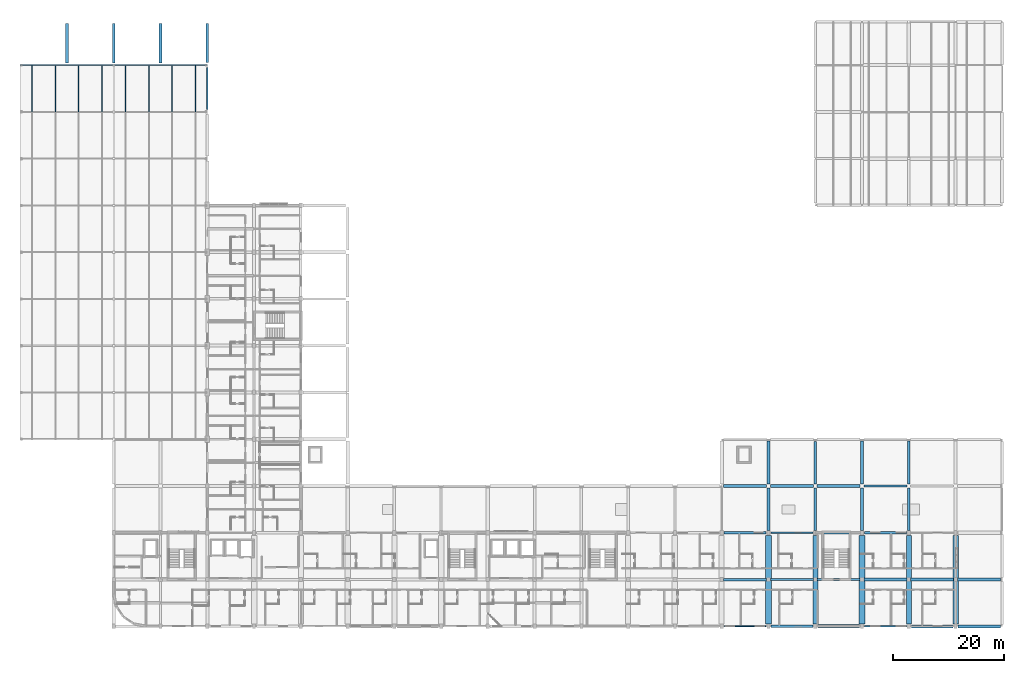
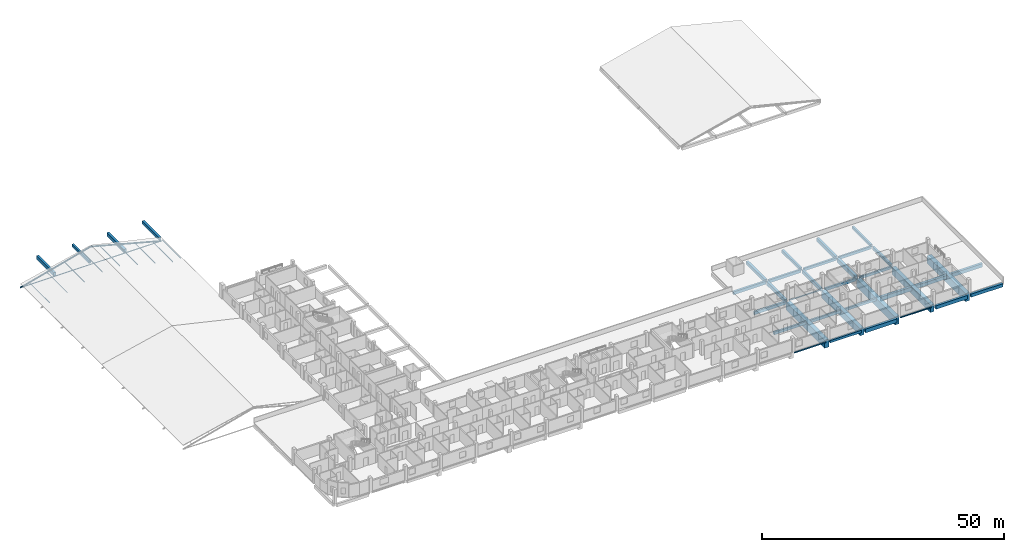
# One storey, part 8 of 42: 38 beams, 11 members.
"""IFC4 building model written with IfcOpenShell, lengths in metres."""

import ifcopenshell
import ifcopenshell.guid

model = None  # the IFC model being written
_history = None  # IfcOwnerHistory: only IFC2X3 demands one
_inside = {}  # id of a spatial element -> (the spatial element, [elements in it])
_under = {}  # id of a project, library or spatial element -> (it, [spatial elements below it])
_declared = {}  # id of a project -> (the project, [libraries it declares])
_typed = {}  # id of a type object -> (the type object, [elements of that type])
_made_of = {}  # id of a material, layer set ... -> (it, [elements and type objects made of it])


def new_model(schema):
    """Start an empty IFC model of exactly this schema.

    Asked for "IFC4X3", IfcOpenShell would pick the latest addendum, in which some entities
    have other attributes; the version numbers below select the first issue.
    IFC2X3 requires an IfcOwnerHistory on every rooted entity: one is made here for all.
    """
    global model, _history
    if schema == "IFC4X3":
        model = ifcopenshell.file(schema_version=(4, 3, 0, 0))
    else:
        model = ifcopenshell.file(schema=schema)
    _inside.clear()
    _under.clear()
    _declared.clear()
    _typed.clear()
    _made_of.clear()
    _history = None
    if model.schema == "IFC2X3":
        org = make("IfcOrganization", Name="unknown")
        user = make(
            "IfcPersonAndOrganization",
            ThePerson=make("IfcPerson", FamilyName="unknown"),
            TheOrganization=org,
        )
        app = make(
            "IfcApplication",
            ApplicationDeveloper=org,
            Version="unknown",
            ApplicationFullName="unknown",
            ApplicationIdentifier="unknown",
        )
        _history = make(
            "IfcOwnerHistory",
            OwningUser=user,
            OwningApplication=app,
            ChangeAction="ADDED",
            CreationDate=0,
        )
    return model


def make(cls, **values):
    """One entity of the class cls with the attributes given. An attribute that is None is left unset."""
    return model.create_entity(
        cls, **{name: value for name, value in values.items() if value is not None}
    )


def rooted(cls, **values):
    """An entity with a GlobalId (a new one), such as an element, a storey or a relation."""
    return make(cls, GlobalId=ifcopenshell.guid.new(), OwnerHistory=_history, **values)


def si_unit(unit_type, name, prefix=None):
    """IfcSIUnit, for example si_unit("LENGTHUNIT", "METRE", prefix="MILLI")."""
    return make("IfcSIUnit", UnitType=unit_type, Prefix=prefix, Name=name)


def derived_unit(unit_type, elements):
    """IfcDerivedUnit: a product of units, each with its exponent."""
    return make(
        "IfcDerivedUnit",
        Elements=[
            make("IfcDerivedUnitElement", Unit=unit, Exponent=power)
            for unit, power in elements
        ],
        UnitType=unit_type,
    )


def assignment(units):
    """IfcUnitAssignment: the units of a project."""
    return None if units is None else make("IfcUnitAssignment", Units=units)


def point(xyz):
    """IfcCartesianPoint."""
    return None if xyz is None else make("IfcCartesianPoint", Coordinates=xyz)


def direction(xyz):
    """IfcDirection."""
    return None if xyz is None else make("IfcDirection", DirectionRatios=xyz)


def frame(location, z_axis=None, x_axis=None):
    """IfcAxis2Placement3D, a coordinate frame: its origin and axes. An axis left out is left unset."""
    return make(
        "IfcAxis2Placement3D",
        Location=point(location),
        Axis=direction(z_axis),
        RefDirection=direction(x_axis),
    )


def frame_2d(location, x_axis=None):
    """IfcAxis2Placement2D, a coordinate frame in the plane: its origin and x axis."""
    return make(
        "IfcAxis2Placement2D", Location=point(location), RefDirection=direction(x_axis)
    )


def origin():
    """The frame at (0, 0, 0) with its axes left unset."""
    return frame((0.0, 0.0, 0.0))


def origin_2d():
    """The frame at (0, 0) in the plane with its x axis left unset."""
    return frame_2d((0.0, 0.0))


def place(relative_to, where):
    """IfcLocalPlacement: puts the frame where relative to a parent placement (None: the world)."""
    return make(
        "IfcLocalPlacement", PlacementRelTo=relative_to, RelativePlacement=where
    )


def context(
    kind, dimensions, precision=None, world=None, true_north=None, identifier=None
):
    """IfcGeometricRepresentationContext, for example the 3D "Model" context."""
    return make(
        "IfcGeometricRepresentationContext",
        ContextIdentifier=identifier,
        ContextType=kind,
        CoordinateSpaceDimension=dimensions,
        Precision=precision,
        WorldCoordinateSystem=world,
        TrueNorth=true_north,
    )


def subcontext(parent, identifier, kind, view, scale=None):
    """IfcGeometricRepresentationSubContext, for example "Body" below "Model"."""
    return make(
        "IfcGeometricRepresentationSubContext",
        ContextIdentifier=identifier,
        ContextType=kind,
        ParentContext=parent,
        TargetScale=scale,
        TargetView=view,
    )


def project(units=None, contexts=None):
    """IfcProject with its units and contexts."""
    return rooted(
        "IfcProject",
        Name="project",
        RepresentationContexts=contexts,
        UnitsInContext=assignment(units),
    )


def spatial(cls, under=None, at=None, **own):
    """A site, building, storey or space (cls), placed at a placement, below another one or the project."""
    s = rooted(cls, ObjectPlacement=at, **own)
    if under is not None:
        _under.setdefault(under.id(), (under, []))[1].append(s)
    return s


def profile(cls, at=None, kind="AREA", **sizes):
    """A parametric profile (cls). Its sizes go by their IFC names, for example OverallWidth=200.0."""
    return make(cls, ProfileType=kind, Position=at, **sizes)


def rectangle(**sizes):
    """IfcRectangleProfileDef."""
    return profile("IfcRectangleProfileDef", **sizes)


def hollow_rectangle(**sizes):
    """IfcRectangleHollowProfileDef."""
    return profile("IfcRectangleHollowProfileDef", **sizes)


def hollow_circle(**sizes):
    """IfcCircleHollowProfileDef."""
    return profile("IfcCircleHollowProfileDef", **sizes)


def i_section(**sizes):
    """IfcIShapeProfileDef."""
    return profile("IfcIShapeProfileDef", **sizes)


def extrude(swept, where, along, depth):
    """IfcExtrudedAreaSolid: the profile swept, set in the frame where, extruded along a direction by depth."""
    return make(
        "IfcExtrudedAreaSolid",
        SweptArea=swept,
        Position=where,
        ExtrudedDirection=direction(along),
        Depth=depth,
    )


def shape(context_of_items, identifier, shape_type, items):
    """IfcShapeRepresentation: the items that make up one representation, for example the "Body"."""
    return make(
        "IfcShapeRepresentation",
        ContextOfItems=context_of_items,
        RepresentationIdentifier=identifier,
        RepresentationType=shape_type,
        Items=items,
    )


def material(Name=None, Category=None):
    """IfcMaterial."""
    return make("IfcMaterial", Name=Name, Category=Category)


def material_profile(
    of_material, cross_section, Name=None, Category=None, Priority=None
):
    """IfcMaterialProfile: a cross section and its material."""
    return make(
        "IfcMaterialProfile",
        Name=Name,
        Material=of_material,
        Profile=cross_section,
        Priority=Priority,
        Category=Category,
    )


def profile_set(profiles, Name=None, composite=None):
    """IfcMaterialProfileSet."""
    return make(
        "IfcMaterialProfileSet",
        Name=Name,
        MaterialProfiles=profiles,
        CompositeProfile=composite,
    )


def made_of(thing, what):
    """Note that an element or type object is made of a material, layer set ...; save() writes the relation."""
    if what is not None:
        _made_of.setdefault(what.id(), (what, []))[1].append(thing)
    return thing


def type_object(cls, material=None, **own):
    """A type object (cls), such as IfcWallType, which elements share."""
    return made_of(rooted(cls, **own), material)


def element(
    cls,
    number,
    at=None,
    inside=None,
    cuts=None,
    type_object=None,
    material=None,
    context=None,
    identifier="Body",
    shape_type=None,
    held_by="IfcProductDefinitionShape",
    body=None,
    shapes=None,
    **own,
):
    """One element of the class cls, such as IfcWall. Its Tag is "e" and its number.

    at: its placement. inside: the storey or other place that contains it. cuts: it is an
    opening in that element (IfcRelVoidsElement). A single representation is given by context,
    identifier, shape_type and body (its items); several are given by shapes. held_by: the class
    of the entity that holds the representations. save() writes the other relations.
    """
    e = rooted(cls, Tag="e%d" % number, ObjectPlacement=at, **own)
    if body is not None:
        shapes = [shape(context, identifier, shape_type, body)]
    if shapes is not None:
        e.Representation = make(held_by, Representations=shapes)
    if inside is not None:
        _inside.setdefault(inside.id(), (inside, []))[1].append(e)
    if cuts is not None:
        rooted(
            "IfcRelVoidsElement", RelatingBuildingElement=cuts, RelatedOpeningElement=e
        )
    if type_object is not None:
        _typed.setdefault(type_object.id(), (type_object, []))[1].append(e)
    return made_of(e, material)


def aggregate(whole, parts):
    """IfcRelAggregates: a whole, such as a stair, and the parts it consists of."""
    return rooted("IfcRelAggregates", RelatingObject=whole, RelatedObjects=parts)


def save(model, path):
    """Write the relations noted so far, then the file.

    IfcRelAggregates (storeys below a building ...), IfcRelContainedInSpatialStructure (elements
    in a storey), IfcRelDefinesByType, IfcRelAssociatesMaterial and IfcRelDeclares: one each for
    every whole, place, type object, material and project.
    """
    for whole, parts in _under.values():
        aggregate(whole, parts)
    for where, things in _inside.values():
        rooted(
            "IfcRelContainedInSpatialStructure",
            RelatedElements=things,
            RelatingStructure=where,
        )
    for kind, things in _typed.values():
        rooted("IfcRelDefinesByType", RelatedObjects=things, RelatingType=kind)
    for what, things in _made_of.values():
        rooted("IfcRelAssociatesMaterial", RelatedObjects=things, RelatingMaterial=what)
    for by, libraries in _declared.values():
        rooted("IfcRelDeclares", RelatingContext=by, RelatedDefinitions=libraries)
    model.write(path)


model = new_model("IFC4")

# Units and contexts
model_context = context("Model", 3, precision=1e-05, world=origin(), true_north=direction((0.0, 1.0)))
body_context = subcontext(model_context, "Body", "Model", "MODEL_VIEW")
ifc_project = project(units=[si_unit("LENGTHUNIT", "METRE"), si_unit("AREAUNIT", "SQUARE_METRE"), si_unit("VOLUMEUNIT", "CUBIC_METRE"), si_unit("PLANEANGLEUNIT", "RADIAN"), si_unit("MASSUNIT", "GRAM", prefix="KILO"), derived_unit("THERMALTRANSMITTANCEUNIT", [(si_unit("POWERUNIT", "WATT"), 1), (si_unit("LENGTHUNIT", "METRE"), -2), (si_unit("THERMODYNAMICTEMPERATUREUNIT", "KELVIN"), -1)])], contexts=[model_context])

# Site, building, storey
site_placement = place(None, origin())
site = spatial("IfcSite", under=ifc_project, at=site_placement, CompositionType="ELEMENT")
building_placement = place(site_placement, origin())
building = spatial("IfcBuilding", under=site, at=building_placement, Name="Barrovel Congress Hotel", CompositionType="ELEMENT")
storey_placement = place(building_placement, frame((0.0, 0.0, 18.300048828125)))
storey = spatial("IfcBuildingStorey", under=building, at=storey_placement, Name="L04", CompositionType="ELEMENT", Elevation=18.300048828125)

# Beams
ifc_material_1 = material(Name="Concrete C40", Category="concrete")
ifc_material_profile_1 = material_profile(ifc_material_1, rectangle(XDim=0.39990234375, YDim=0.60009765625, at=origin_2d()), Name="RC400x600")
ifc_profile_set_1 = profile_set([ifc_material_profile_1], Name="Concrete C40")
beam_type_1 = type_object("IfcBeamType", Name="BM-RC400x600", PredefinedType="BEAM", material=ifc_profile_set_1)
beam_1_placement = place(storey_placement, frame((134.85009765625, 4.199951171875, -0.60009765625), z_axis=(1.0, 0.0, 0.0), x_axis=(0.0, 1.0, 0.0)))
element("IfcBeam", 1, at=beam_1_placement, inside=storey, type_object=beam_type_1, Name="BMX:L04:4.2:134.4-142.8", PredefinedType="BEAM", context=body_context, shape_type="SweptSolid", body=[
    extrude(rectangle(XDim=0.39990234375, YDim=0.60009765625, at=origin_2d()), origin(), (0.0, 0.0, 1.0), 7.5),
])
beam_2_placement = place(storey_placement, frame((143.14990234375, 12.60009765625, -0.60009765625), z_axis=(1.0, 0.0, 0.0), x_axis=(0.0, 1.0, 0.0)))
element("IfcBeam", 2, at=beam_2_placement, inside=storey, type_object=beam_type_1, Name="BMX:L04:12.6:142.8-151.2", PredefinedType="BEAM", context=body_context, shape_type="SweptSolid", body=[
    extrude(rectangle(XDim=0.39990234375, YDim=0.60009765625, at=origin_2d()), origin(), (0.0, 0.0, 1.0), 7.7001953125),
])
beam_3_placement = place(storey_placement, frame((151.64990234375, 21.0, -0.60009765625), z_axis=(1.0, 0.0, 0.0), x_axis=(0.0, 1.0, 0.0)))
element("IfcBeam", 3, at=beam_3_placement, inside=storey, type_object=beam_type_1, Name="BMX:L04:21.0:151.2-159.6", PredefinedType="BEAM", context=body_context, shape_type="SweptSolid", body=[
    extrude(rectangle(XDim=0.39990234375, YDim=0.60009765625, at=origin_2d()), origin(), (0.0, 0.0, 1.0), 7.5),
])
ifc_material_profile_2 = material_profile(ifc_material_1, rectangle(XDim=0.39990234375, YDim=0.699951171875, at=origin_2d()), Name="RC400x700")
ifc_profile_set_2 = profile_set([ifc_material_profile_2], Name="Concrete C40")
beam_type_2 = type_object("IfcBeamType", Name="BM-RC400x700", PredefinedType="BEAM", material=ifc_profile_set_2)
beam_4_placement = place(storey_placement, frame((134.75, 12.60009765625, -0.650146484375), z_axis=(1.0, 0.0, 0.0), x_axis=(0.0, 1.0, 0.0)))
element("IfcBeam", 4, at=beam_4_placement, inside=storey, type_object=beam_type_2, Name="BMX:L04:12.6:134.4-142.8", PredefinedType="BEAM", context=body_context, shape_type="SweptSolid", body=[
    extrude(rectangle(XDim=0.39990234375, YDim=0.699951171875, at=origin_2d()), origin(), (0.0, 0.0, 1.0), 7.699951171875),
])
beam_5_placement = place(storey_placement, frame((143.25, 21.0, -0.650146484375), z_axis=(1.0, 0.0, 0.0), x_axis=(0.0, 1.0, 0.0)))
element("IfcBeam", 5, at=beam_5_placement, inside=storey, type_object=beam_type_2, Name="BMX:L04:21.0:142.8-151.2", PredefinedType="BEAM", context=body_context, shape_type="SweptSolid", body=[
    extrude(rectangle(XDim=0.39990234375, YDim=0.699951171875, at=origin_2d()), origin(), (0.0, 0.0, 1.0), 7.5),
])
beam_6_placement = place(storey_placement, frame((151.550048828125, 29.39990234375, -0.650146484375), z_axis=(1.0, 0.0, 0.0), x_axis=(0.0, 1.0, 0.0)))
element("IfcBeam", 6, at=beam_6_placement, inside=storey, type_object=beam_type_2, Name="BMX:L04:29.4:151.2-159.6", PredefinedType="BEAM", context=body_context, shape_type="SweptSolid", body=[
    extrude(rectangle(XDim=0.39990234375, YDim=0.699951171875, at=origin_2d()), origin(), (0.0, 0.0, 1.0), 7.699951171875),
])
ifc_material_profile_3 = material_profile(ifc_material_1, rectangle(XDim=0.449951171875, YDim=0.64990234375, at=origin_2d()), Name="RC450x650")
ifc_profile_set_3 = profile_set([ifc_material_profile_3], Name="Concrete C40")
beam_type_3 = type_object("IfcBeamType", Name="BM-RC450x650", PredefinedType="BEAM", material=ifc_profile_set_3)
beam_7_placement = place(storey_placement, frame((126.35009765625, 12.60009765625, -0.625), z_axis=(1.0, 0.0, 0.0), x_axis=(0.0, 1.0, 0.0)))
element("IfcBeam", 7, at=beam_7_placement, inside=storey, type_object=beam_type_3, Name="BMX:L04:12.6:126.0-134.4", PredefinedType="BEAM", context=body_context, shape_type="SweptSolid", body=[
    extrude(rectangle(XDim=0.449951171875, YDim=0.64990234375, at=origin_2d()), origin(), (0.0, 0.0, 1.0), 7.699951171875),
])
beam_8_placement = place(storey_placement, frame((143.14990234375, 29.39990234375, -0.625), z_axis=(1.0, 0.0, 0.0), x_axis=(0.0, 1.0, 0.0)))
element("IfcBeam", 8, at=beam_8_placement, inside=storey, type_object=beam_type_3, Name="BMX:L04:29.4:142.8-151.2", PredefinedType="BEAM", context=body_context, shape_type="SweptSolid", body=[
    extrude(rectangle(XDim=0.449951171875, YDim=0.64990234375, at=origin_2d()), origin(), (0.0, 0.0, 1.0), 7.7001953125),
])
beam_9_placement = place(storey_placement, frame((16.800048828125, 105.35009765625, -0.625), z_axis=(0.0, 1.0, 0.0), x_axis=(-1.0, 0.0, 0.0)))
element("IfcBeam", 9, at=beam_9_placement, inside=storey, type_object=beam_type_3, Name="BMY:L04:16.8:105.0-112.8", PredefinedType="BEAM", context=body_context, shape_type="SweptSolid", body=[
    extrude(rectangle(XDim=0.449951171875, YDim=0.64990234375, at=origin_2d()), origin(), (0.0, 0.0, 1.0), 7.099853515625),
])
beam_10_placement = place(storey_placement, frame((159.60009765625, 29.75, -0.625), z_axis=(0.0, 1.0, 0.0), x_axis=(-1.0, 0.0, 0.0)))
element("IfcBeam", 10, at=beam_10_placement, inside=storey, type_object=beam_type_3, Name="BMY:L04:159.6:29.4-37.8", PredefinedType="BEAM", context=body_context, shape_type="SweptSolid", body=[
    extrude(rectangle(XDim=0.449951171875, YDim=0.64990234375, at=origin_2d()), origin(), (0.0, 0.0, 1.0), 7.699951171875),
])
ifc_material_profile_4 = material_profile(ifc_material_1, rectangle(XDim=0.449951171875, YDim=0.75, at=origin_2d()), Name="RC450x750")
ifc_profile_set_4 = profile_set([ifc_material_profile_4], Name="Concrete C40")
beam_type_4 = type_object("IfcBeamType", Name="BM-RC450x750", PredefinedType="BEAM", material=ifc_profile_set_4)
beam_11_placement = place(storey_placement, frame((126.449951171875, 21.0, -0.675048828125), z_axis=(1.0, 0.0, 0.0), x_axis=(0.0, 1.0, 0.0)))
element("IfcBeam", 11, at=beam_11_placement, inside=storey, type_object=beam_type_4, Name="BMX:L04:21.0:126.0-134.4", PredefinedType="BEAM", context=body_context, shape_type="SweptSolid", body=[
    extrude(rectangle(XDim=0.449951171875, YDim=0.75, at=origin_2d()), origin(), (0.0, 0.0, 1.0), 7.5),
])
beam_12_placement = place(storey_placement, frame((134.75, 29.39990234375, -0.675048828125), z_axis=(1.0, 0.0, 0.0), x_axis=(0.0, 1.0, 0.0)))
element("IfcBeam", 12, at=beam_12_placement, inside=storey, type_object=beam_type_4, Name="BMX:L04:29.4:134.4-142.8", PredefinedType="BEAM", context=body_context, shape_type="SweptSolid", body=[
    extrude(rectangle(XDim=0.449951171875, YDim=0.75, at=origin_2d()), origin(), (0.0, 0.0, 1.0), 7.699951171875),
])
beam_13_placement = place(storey_placement, frame((159.60009765625, 21.449951171875, -0.675048828125), z_axis=(0.0, 1.0, 0.0), x_axis=(-1.0, 0.0, 0.0)))
element("IfcBeam", 13, at=beam_13_placement, inside=storey, type_object=beam_type_4, Name="BMY:L04:159.6:21.0-29.4", PredefinedType="BEAM", context=body_context, shape_type="SweptSolid", body=[
    extrude(rectangle(XDim=0.449951171875, YDim=0.75, at=origin_2d()), origin(), (0.0, 0.0, 1.0), 7.60009765625),
])
ifc_material_profile_5 = material_profile(ifc_material_1, rectangle(XDim=0.5, YDim=0.75, at=origin_2d()), Name="RC500x750")
ifc_profile_set_5 = profile_set([ifc_material_profile_5], Name="Concrete C40")
beam_type_5 = type_object("IfcBeamType", Name="BM-RC500x750", PredefinedType="BEAM", material=ifc_profile_set_5)
beam_14_placement = place(storey_placement, frame((126.35009765625, 29.39990234375, -0.675048828125), z_axis=(1.0, 0.0, 0.0), x_axis=(0.0, 1.0, 0.0)))
element("IfcBeam", 14, at=beam_14_placement, inside=storey, type_object=beam_type_5, Name="BMX:L04:29.4:126.0-134.4", PredefinedType="BEAM", context=body_context, shape_type="SweptSolid", body=[
    extrude(rectangle(XDim=0.5, YDim=0.75, at=origin_2d()), origin(), (0.0, 0.0, 1.0), 7.699951171875),
])
beam_15_placement = place(storey_placement, frame((33.60009765625, 105.449951171875, -0.675048828125), z_axis=(0.0, 1.0, 0.0), x_axis=(-1.0, 0.0, 0.0)))
element("IfcBeam", 15, at=beam_15_placement, inside=storey, type_object=beam_type_5, Name="BMY:L04:33.6:105.0-112.8", PredefinedType="BEAM", context=body_context, shape_type="SweptSolid", body=[
    extrude(rectangle(XDim=0.5, YDim=0.75, at=origin_2d()), origin(), (0.0, 0.0, 1.0), 7.0),
])
beam_16_placement = place(storey_placement, frame((142.800048828125, 29.75, -0.675048828125), z_axis=(0.0, 1.0, 0.0), x_axis=(-1.0, 0.0, 0.0)))
element("IfcBeam", 16, at=beam_16_placement, inside=storey, type_object=beam_type_5, Name="BMY:L04:142.8:29.4-37.8", PredefinedType="BEAM", context=body_context, shape_type="SweptSolid", body=[
    extrude(rectangle(XDim=0.5, YDim=0.75, at=origin_2d()), origin(), (0.0, 0.0, 1.0), 7.60009765625),
])
ifc_material_profile_6 = material_profile(ifc_material_1, rectangle(XDim=0.5, YDim=0.85009765625, at=origin_2d()), Name="RC500x850")
ifc_profile_set_6 = profile_set([ifc_material_profile_6], Name="Concrete C40")
beam_type_6 = type_object("IfcBeamType", Name="BM-RC500x850", PredefinedType="BEAM", material=ifc_profile_set_6)
beam_17_placement = place(storey_placement, frame((142.800048828125, 21.449951171875, -0.72509765625), z_axis=(0.0, 1.0, 0.0), x_axis=(-1.0, 0.0, 0.0)))
element("IfcBeam", 17, at=beam_17_placement, inside=storey, type_object=beam_type_6, Name="BMY:L04:142.8:21.0-29.4", PredefinedType="BEAM", context=body_context, shape_type="SweptSolid", body=[
    extrude(rectangle(XDim=0.5, YDim=0.85009765625, at=origin_2d()), origin(), (0.0, 0.0, 1.0), 7.60009765625),
])
ifc_material_profile_7 = material_profile(ifc_material_1, rectangle(XDim=0.550048828125, YDim=0.800048828125, at=origin_2d()), Name="RC550x800")
ifc_profile_set_7 = profile_set([ifc_material_profile_7], Name="Concrete C40")
beam_type_7 = type_object("IfcBeamType", Name="BM-RC550x800", PredefinedType="BEAM", material=ifc_profile_set_7)
beam_18_placement = place(storey_placement, frame((168.449951171875, 4.199951171875, -0.699951171875), z_axis=(1.0, 0.0, 0.0), x_axis=(0.0, 1.0, 0.0)))
element("IfcBeam", 18, at=beam_18_placement, inside=storey, type_object=beam_type_7, Name="BMX:L04:4.2:168.0-176.4", PredefinedType="BEAM", context=body_context, shape_type="SweptSolid", body=[
    extrude(rectangle(XDim=0.550048828125, YDim=0.800048828125, at=origin_2d()), origin(), (0.0, 0.0, 1.0), 7.60009765625),
])
beam_19_placement = place(storey_placement, frame((134.39990234375, 29.75, -0.699951171875), z_axis=(0.0, 1.0, 0.0), x_axis=(-1.0, 0.0, 0.0)))
element("IfcBeam", 19, at=beam_19_placement, inside=storey, type_object=beam_type_7, Name="BMY:L04:134.4:29.4-37.8", PredefinedType="BEAM", context=body_context, shape_type="SweptSolid", body=[
    extrude(rectangle(XDim=0.550048828125, YDim=0.800048828125, at=origin_2d()), origin(), (0.0, 0.0, 1.0), 7.699951171875),
])
ifc_material_profile_8 = material_profile(ifc_material_1, rectangle(XDim=0.550048828125, YDim=0.89990234375, at=origin_2d()), Name="RC550x900")
ifc_profile_set_8 = profile_set([ifc_material_profile_8], Name="Concrete C40")
beam_type_8 = type_object("IfcBeamType", Name="BM-RC550x900", PredefinedType="BEAM", material=ifc_profile_set_8)
beam_20_placement = place(storey_placement, frame((160.050048828125, 4.199951171875, -0.75), z_axis=(1.0, 0.0, 0.0), x_axis=(0.0, 1.0, 0.0)))
element("IfcBeam", 20, at=beam_20_placement, inside=storey, type_object=beam_type_8, Name="BMX:L04:4.2:159.6-168.0", PredefinedType="BEAM", context=body_context, shape_type="SweptSolid", body=[
    extrude(rectangle(XDim=0.550048828125, YDim=0.89990234375, at=origin_2d()), origin(), (0.0, 0.0, 1.0), 7.5),
])
beam_21_placement = place(storey_placement, frame((168.35009765625, 12.60009765625, -0.75), z_axis=(1.0, 0.0, 0.0), x_axis=(0.0, 1.0, 0.0)))
element("IfcBeam", 21, at=beam_21_placement, inside=storey, type_object=beam_type_8, Name="BMX:L04:12.6:168.0-176.4", PredefinedType="BEAM", context=body_context, shape_type="SweptSolid", body=[
    extrude(rectangle(XDim=0.550048828125, YDim=0.89990234375, at=origin_2d()), origin(), (0.0, 0.0, 1.0), 7.699951171875),
])
for number, where, z_axis, x_axis, name in (
    (22, (8.39990234375, 105.35009765625, -0.75), (0.0, 1.0, 0.0), (-1.0, 0.0, 0.0), "BMY:L04:8.4:105.0-112.8"),
    (23, (25.199951171875, 105.35009765625, -0.75), (0.0, 1.0, 0.0), (-1.0, 0.0, 0.0), "BMY:L04:25.2:105.0-112.8"),
):
    element("IfcBeam", number, at=place(storey_placement, frame(where, z_axis=z_axis, x_axis=x_axis)), inside=storey, type_object=beam_type_8, Name=name, PredefinedType="BEAM", context=body_context, shape_type="SweptSolid", body=[
        extrude(rectangle(XDim=0.550048828125, YDim=0.89990234375, at=origin_2d()), origin(), (0.0, 0.0, 1.0), 7.099853515625),
    ])
beam_22_placement = place(storey_placement, frame((134.39990234375, 21.449951171875, -0.75), z_axis=(0.0, 1.0, 0.0), x_axis=(-1.0, 0.0, 0.0)))
element("IfcBeam", 24, at=beam_22_placement, inside=storey, type_object=beam_type_8, Name="BMY:L04:134.4:21.0-29.4", PredefinedType="BEAM", context=body_context, shape_type="SweptSolid", body=[
    extrude(rectangle(XDim=0.550048828125, YDim=0.89990234375, at=origin_2d()), origin(), (0.0, 0.0, 1.0), 7.60009765625),
])
ifc_material_profile_9 = material_profile(ifc_material_1, rectangle(XDim=0.60009765625, YDim=0.85009765625, at=origin_2d()), Name="RC600x850")
ifc_profile_set_9 = profile_set([ifc_material_profile_9], Name="Concrete C40")
beam_type_9 = type_object("IfcBeamType", Name="BM-RC600x850", PredefinedType="BEAM", material=ifc_profile_set_9)
for number, where, z_axis, x_axis, name in (
    (25, (159.949951171875, 12.60009765625, -0.72509765625), (1.0, 0.0, 0.0), (0.0, 1.0, 0.0), "BMX:L04:12.6:159.6-168.0"),
    (26, (151.199951171875, 29.75, -0.72509765625), (0.0, 1.0, 0.0), (-1.0, 0.0, 0.0), "BMY:L04:151.2:29.4-37.8"),
):
    element("IfcBeam", number, at=place(storey_placement, frame(where, z_axis=z_axis, x_axis=x_axis)), inside=storey, type_object=beam_type_9, Name=name, PredefinedType="BEAM", context=body_context, shape_type="SweptSolid", body=[
        extrude(rectangle(XDim=0.60009765625, YDim=0.85009765625, at=origin_2d()), origin(), (0.0, 0.0, 1.0), 7.699951171875),
    ])
ifc_material_profile_10 = material_profile(ifc_material_1, rectangle(XDim=0.60009765625, YDim=0.949951171875, at=origin_2d()), Name="RC600x950")
ifc_profile_set_10 = profile_set([ifc_material_profile_10], Name="Concrete C40")
beam_type_10 = type_object("IfcBeamType", Name="BM-RC600x950", PredefinedType="BEAM", material=ifc_profile_set_10)
beam_23_placement = place(storey_placement, frame((143.25, 4.199951171875, -0.775146484375), z_axis=(1.0, 0.0, 0.0), x_axis=(0.0, 1.0, 0.0)))
element("IfcBeam", 27, at=beam_23_placement, inside=storey, type_object=beam_type_10, Name="BMX:L04:4.2:142.8-151.2", PredefinedType="BEAM", context=body_context, shape_type="SweptSolid", body=[
    extrude(rectangle(XDim=0.60009765625, YDim=0.949951171875, at=origin_2d()), origin(), (0.0, 0.0, 1.0), 7.5),
])
beam_24_placement = place(storey_placement, frame((151.550048828125, 12.60009765625, -0.775146484375), z_axis=(1.0, 0.0, 0.0), x_axis=(0.0, 1.0, 0.0)))
element("IfcBeam", 28, at=beam_24_placement, inside=storey, type_object=beam_type_10, Name="BMX:L04:12.6:151.2-159.6", PredefinedType="BEAM", context=body_context, shape_type="SweptSolid", body=[
    extrude(rectangle(XDim=0.60009765625, YDim=0.949951171875, at=origin_2d()), origin(), (0.0, 0.0, 1.0), 7.699951171875),
])
beam_25_placement = place(storey_placement, frame((151.199951171875, 21.449951171875, -0.775146484375), z_axis=(0.0, 1.0, 0.0), x_axis=(-1.0, 0.0, 0.0)))
element("IfcBeam", 29, at=beam_25_placement, inside=storey, type_object=beam_type_10, Name="BMY:L04:151.2:21.0-29.4", PredefinedType="BEAM", context=body_context, shape_type="SweptSolid", body=[
    extrude(rectangle(XDim=0.60009765625, YDim=0.949951171875, at=origin_2d()), origin(), (0.0, 0.0, 1.0), 7.60009765625),
])

# Members
ifc_material_2 = material(Name="Steel ASTM A500 Grade C", Category="steel")
ifc_material_profile_11 = material_profile(ifc_material_2, hollow_circle(Radius=0.05712890625, WallThickness=0.005615234375, at=origin_2d()), Name="CHS114.3x6.0")
ifc_profile_set_11 = profile_set([ifc_material_profile_11], Name="Steel ASTM A500 Grade C")
member_type_1 = type_object("IfcMemberType", Name="MEM-CHS114.3x6.0", PredefinedType="STRUT", material=ifc_profile_set_11)
member_placement = place(storey_placement, frame((0.0, 105.0, -0.949951171875), z_axis=(1.0, 0.0, 0.0), x_axis=(0.0, 1.0, 0.0)))
element("IfcMember", 30, at=member_placement, inside=storey, type_object=member_type_1, Name="V1-RAF-TIE:8", PredefinedType="STRUT", context=body_context, shape_type="SweptSolid", body=[
    extrude(hollow_circle(Radius=0.05712890625, WallThickness=0.005615234375, at=origin_2d()), origin(), (0.0, 0.0, 1.0), 33.60009765625),
])
ifc_material_profile_12 = material_profile(ifc_material_2, hollow_rectangle(XDim=0.1015625, YDim=0.203125, WallThickness=0.00732421875, InnerFilletRadius=0.00732421875, OuterFilletRadius=0.014892578125, at=origin_2d()), Name="HSS203x102x7.9")
ifc_profile_set_12 = profile_set([ifc_material_profile_12], Name="Steel ASTM A500 Grade C")
member_type_2 = type_object("IfcMemberType", Name="MEM-HSS203x102x7.9", PredefinedType="PURLIN", material=ifc_profile_set_12)
for number, where, z_axis, x_axis, name in (
    (31, (2.10009765625, 96.60009765625, -0.389404296875), (0.0, 1.0, 0.0), (-1.0, 0.0, 0.0), "SF-PUR:0:7"),
    (32, (6.300048828125, 96.60009765625, 0.7314453125), (0.0, 1.0, 0.0), (-1.0, 0.0, 0.0), "SF-PUR:1:7"),
    (33, (10.5, 96.60009765625, 1.852783203125), (0.0, 1.0, 0.0), (-1.0, 0.0, 0.0), "SF-PUR:2:7"),
    (34, (14.699951171875, 96.60009765625, 2.9736328125), (0.0, 1.0, 0.0), (-1.0, 0.0, 0.0), "SF-PUR:3:7"),
    (35, (18.89990234375, 96.60009765625, 2.9736328125), (0.0, 1.0, 0.0), (-1.0, 0.0, 0.0), "SF-PUR:4:7"),
    (36, (23.10009765625, 96.60009765625, 1.852783203125), (0.0, 1.0, 0.0), (-1.0, 0.0, 0.0), "SF-PUR:5:7"),
    (37, (27.300048828125, 96.60009765625, 0.7314453125), (0.0, 1.0, 0.0), (-1.0, 0.0, 0.0), "SF-PUR:6:7"),
    (38, (31.5, 96.60009765625, -0.389404296875), (0.0, 1.0, 0.0), (-1.0, 0.0, 0.0), "SF-PUR:7:7"),
):
    element("IfcMember", number, at=place(storey_placement, frame(where, z_axis=z_axis, x_axis=x_axis)), inside=storey, type_object=member_type_2, Name=name, PredefinedType="PURLIN", context=body_context, shape_type="SweptSolid", body=[
        extrude(hollow_rectangle(XDim=0.1015625, YDim=0.203125, WallThickness=0.00732421875, InnerFilletRadius=0.00732421875, OuterFilletRadius=0.014892578125, at=origin_2d()), origin(), (0.0, 0.0, 1.0), 8.39990234375),
    ])
ifc_material_3 = material(Name="Steel ASTM A992 Grade 50", Category="steel")
ifc_material_profile_13 = material_profile(ifc_material_3, i_section(OverallWidth=0.205078125, OverallDepth=0.31005859375, WebThickness=0.009521484375, FlangeThickness=0.016357421875, FilletRadius=0.012939453125, at=origin_2d()), Name="W310x74")
ifc_profile_set_13 = profile_set([ifc_material_profile_13], Name="Steel ASTM A992 Grade 50")
member_type_3 = type_object("IfcMemberType", Name="MEM-W310x74", PredefinedType="RAFTER", material=ifc_profile_set_13)
for number, where, z_axis, x_axis, name in (
    (39, (0.0, 105.0, -0.949951171875), (0.966172456981, 0.0, 0.257896846378), (0.0, 1.0, 0.0), "V1-RAF-W:8"),
    (40, (16.800048828125, 105.0, 3.534423828125), (0.966172456981, 0.0, -0.257896846378), (0.0, 1.0, 0.0), "V1-RAF-E:8"),
):
    element("IfcMember", number, at=place(storey_placement, frame(where, z_axis=z_axis, x_axis=x_axis)), inside=storey, type_object=member_type_3, Name=name, PredefinedType="RAFTER", context=body_context, shape_type="SweptSolid", body=[
        extrude(i_section(OverallWidth=0.205078125, OverallDepth=0.31005859375, WebThickness=0.009521484375, FlangeThickness=0.016357421875, FilletRadius=0.012939453125, at=origin_2d()), origin(), (0.0, 0.0, 1.0), 17.38818359375),
    ])

# Beams
ifc_material_profile_14 = material_profile(ifc_material_2, hollow_rectangle(XDim=0.15234375, YDim=0.25390625, WallThickness=0.0087890625, InnerFilletRadius=0.0087890625, OuterFilletRadius=0.017578125, at=origin_2d()), Name="HSS254x152x9.5")
ifc_profile_set_14 = profile_set([ifc_material_profile_14], Name="Steel ASTM A500 Grade C")
beam_type_11 = type_object("IfcBeamType", Name="SBM-HSS254x152x9.5", PredefinedType="SPANDREL", material=ifc_profile_set_14)
beam_26_placement = place(storey_placement, frame((33.60009765625, 97.050048828125, -0.427001953125), z_axis=(0.0, 1.0, 0.0), x_axis=(-1.0, 0.0, 0.0)))
element("IfcBeam", 41, at=beam_26_placement, inside=storey, type_object=beam_type_11, Name="BMY:L04:33.6:96.6-105.0", PredefinedType="SPANDREL", context=body_context, shape_type="SweptSolid", body=[
    extrude(hollow_rectangle(XDim=0.15234375, YDim=0.25390625, WallThickness=0.0087890625, InnerFilletRadius=0.0087890625, OuterFilletRadius=0.017578125, at=origin_2d()), origin(), (0.0, 0.0, 1.0), 7.5),
])
ifc_material_profile_15 = material_profile(ifc_material_2, hollow_rectangle(XDim=0.203125, YDim=0.3046875, WallThickness=0.01171875, InnerFilletRadius=0.01171875, OuterFilletRadius=0.023681640625, at=origin_2d()), Name="HSS305x203x12.7")
ifc_profile_set_15 = profile_set([ifc_material_profile_15], Name="Steel ASTM A500 Grade C")
beam_type_12 = type_object("IfcBeamType", Name="SBM-HSS305x203x12.7", PredefinedType="SPANDREL", material=ifc_profile_set_15)
beam_27_placement = place(storey_placement, frame((126.449951171875, 4.199951171875, -0.452392578125), z_axis=(1.0, 0.0, 0.0), x_axis=(0.0, 1.0, 0.0)))
element("IfcBeam", 42, at=beam_27_placement, inside=storey, type_object=beam_type_12, Name="BMX:L04:4.2:126.0-134.4", PredefinedType="SPANDREL", context=body_context, shape_type="SweptSolid", body=[
    extrude(hollow_rectangle(XDim=0.203125, YDim=0.3046875, WallThickness=0.01171875, InnerFilletRadius=0.01171875, OuterFilletRadius=0.023681640625, at=origin_2d()), origin(), (0.0, 0.0, 1.0), 7.5),
])
ifc_material_profile_16 = material_profile(ifc_material_3, i_section(OverallWidth=0.201904296875, OverallDepth=0.2470703125, WebThickness=0.00732421875, FlangeThickness=0.010986328125, FilletRadius=0.011962890625, at=origin_2d()), Name="W250x49")
ifc_profile_set_16 = profile_set([ifc_material_profile_16], Name="Steel ASTM A992 Grade 50")
beam_type_13 = type_object("IfcBeamType", Name="SBM-W250x49", PredefinedType="SPANDREL", material=ifc_profile_set_16)
beam_28_placement = place(storey_placement, frame((134.85009765625, 21.0, -0.423583984375), z_axis=(1.0, 0.0, 0.0), x_axis=(0.0, 1.0, 0.0)))
element("IfcBeam", 43, at=beam_28_placement, inside=storey, type_object=beam_type_13, Name="BMX:L04:21.0:134.4-142.8", PredefinedType="SPANDREL", context=body_context, shape_type="SweptSolid", body=[
    extrude(i_section(OverallWidth=0.201904296875, OverallDepth=0.2470703125, WebThickness=0.00732421875, FlangeThickness=0.010986328125, FilletRadius=0.011962890625, at=origin_2d()), origin(), (0.0, 0.0, 1.0), 7.5),
])
ifc_material_profile_17 = material_profile(ifc_material_3, i_section(OverallWidth=0.205078125, OverallDepth=0.31005859375, WebThickness=0.009521484375, FlangeThickness=0.016357421875, FilletRadius=0.012939453125, at=origin_2d()), Name="W310x74")
ifc_profile_set_17 = profile_set([ifc_material_profile_17], Name="Steel ASTM A992 Grade 50")
beam_type_14 = type_object("IfcBeamType", Name="SBM-W310x74", PredefinedType="SPANDREL", material=ifc_profile_set_17)
beam_29_placement = place(storey_placement, frame((151.64990234375, 4.199951171875, -0.455078125), z_axis=(1.0, 0.0, 0.0), x_axis=(0.0, 1.0, 0.0)))
element("IfcBeam", 44, at=beam_29_placement, inside=storey, type_object=beam_type_14, Name="BMX:L04:4.2:151.2-159.6", PredefinedType="SPANDREL", context=body_context, shape_type="SweptSolid", body=[
    extrude(i_section(OverallWidth=0.205078125, OverallDepth=0.31005859375, WebThickness=0.009521484375, FlangeThickness=0.016357421875, FilletRadius=0.012939453125, at=origin_2d()), origin(), (0.0, 0.0, 1.0), 7.5),
])
ifc_material_4 = material(Name="Concrete C50", Category="concrete")
ifc_material_profile_18 = material_profile(ifc_material_4, rectangle(XDim=1.0, YDim=2.0, at=origin_2d()), Name="RC1000x2000")
ifc_profile_set_18 = profile_set([ifc_material_profile_18], Name="Concrete C50")
beam_type_15 = type_object("IfcBeamType", Name="TG-RC1000x2000", PredefinedType="BEAM", material=ifc_profile_set_18)
for number, where, z_axis, x_axis, name in (
    (45, (134.39990234375, 4.64990234375, -1.300048828125), (0.0, 1.0, 0.0), (-1.0, 0.0, 0.0), "Transfer Girder TG-RC1000x2000 at Grid 134.4"),
    (46, (151.199951171875, 4.64990234375, -1.300048828125), (0.0, 1.0, 0.0), (-1.0, 0.0, 0.0), "Transfer Girder TG-RC1000x2000 at Grid 151.2"),
    (47, (168.0, 4.64990234375, -1.300048828125), (0.0, 1.0, 0.0), (-1.0, 0.0, 0.0), "Transfer Girder TG-RC1000x2000 at Grid 168.0"),
):
    element("IfcBeam", number, at=place(storey_placement, frame(where, z_axis=z_axis, x_axis=x_axis)), inside=storey, type_object=beam_type_15, Name=name, PredefinedType="BEAM", context=body_context, shape_type="SweptSolid", body=[
        extrude(rectangle(XDim=1.0, YDim=2.0, at=origin_2d()), origin(), (0.0, 0.0, 1.0), 15.900146484375),
    ])
ifc_material_profile_19 = material_profile(ifc_material_4, rectangle(XDim=0.89990234375, YDim=1.800048828125, at=origin_2d()), Name="RC900x1800")
ifc_profile_set_19 = profile_set([ifc_material_profile_19], Name="Concrete C50")
beam_type_16 = type_object("IfcBeamType", Name="TG-RC900x1800", PredefinedType="BEAM", material=ifc_profile_set_19)
for number, where, z_axis, x_axis, name in (
    (48, (142.800048828125, 4.64990234375, -1.199951171875), (0.0, 1.0, 0.0), (-1.0, 0.0, 0.0), "Transfer Girder TG-RC900x1800 at Grid 142.8"),
    (49, (159.60009765625, 4.64990234375, -1.199951171875), (0.0, 1.0, 0.0), (-1.0, 0.0, 0.0), "Transfer Girder TG-RC900x1800 at Grid 159.6"),
):
    element("IfcBeam", number, at=place(storey_placement, frame(where, z_axis=z_axis, x_axis=x_axis)), inside=storey, type_object=beam_type_16, Name=name, PredefinedType="BEAM", context=body_context, shape_type="SweptSolid", body=[
        extrude(rectangle(XDim=0.89990234375, YDim=1.800048828125, at=origin_2d()), origin(), (0.0, 0.0, 1.0), 15.900146484375),
    ])

save(model, "model.ifc")
